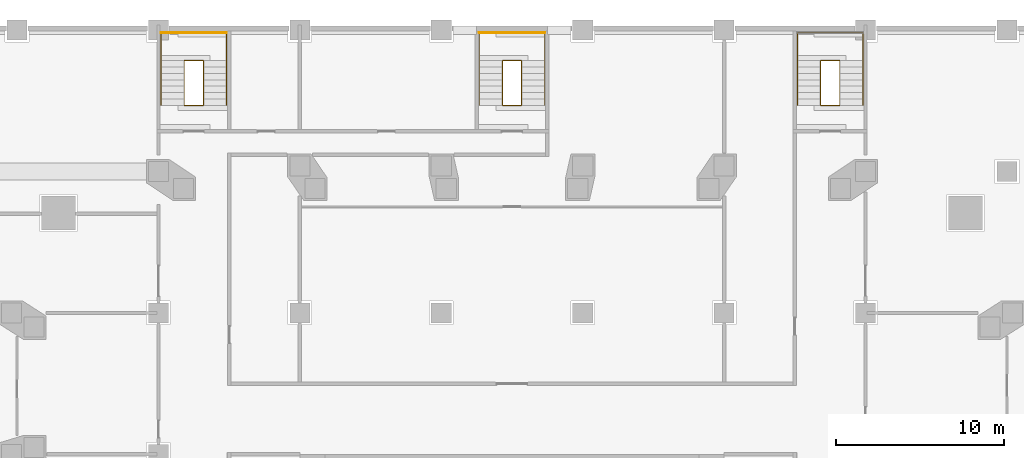
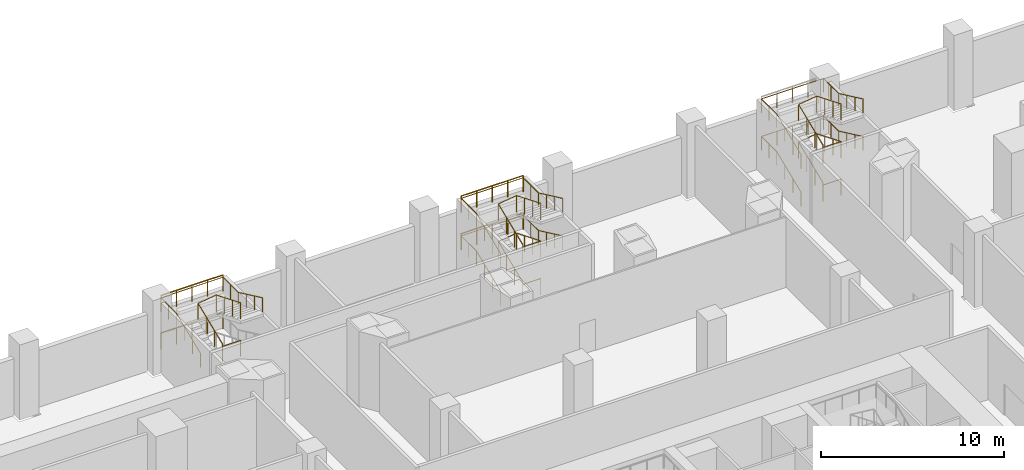
# One storey, part 15 of 16: 14 railings.
"""IFC4 building model written with IfcOpenShell, lengths in metres."""

from ifc_helpers import new_model, si_unit, direction, frame, origin, origin_2d, place, context, subcontext, project, spatial, circle, extrude, material, type_object, element, save


model = new_model("IFC4")

# Units and contexts
model_context = context("Model", 3, precision=1e-05, world=origin(), true_north=direction((0.0, 1.0)))
body_context = subcontext(model_context, "Body", "Model", "MODEL_VIEW")
ifc_project = project(units=[si_unit("LENGTHUNIT", "METRE"), si_unit("AREAUNIT", "SQUARE_METRE"), si_unit("VOLUMEUNIT", "CUBIC_METRE"), si_unit("PLANEANGLEUNIT", "RADIAN"), si_unit("MASSUNIT", "GRAM", prefix="KILO")], contexts=[model_context])

# Site, building, storey
site_placement = place(None, origin())
site = spatial("IfcSite", under=ifc_project, at=site_placement, CompositionType="ELEMENT")
building_placement = place(site_placement, origin())
building = spatial("IfcBuilding", under=site, at=building_placement, Name="Marenta Gate Hotel Tower", CompositionType="ELEMENT")
storey_placement = place(building_placement, frame((0.0, 0.0, 21.0)))
storey = spatial("IfcBuildingStorey", under=building, at=storey_placement, Name="L03", CompositionType="ELEMENT", Elevation=21.0)

# Railings
ifc_material_1 = material(Name="Stainless steel", Category="steel")
railing_type_1 = type_object("IfcRailingType", Name="Core stair handrail 950", PredefinedType="HANDRAIL", material=ifc_material_1)
railing_1_placement = place(storey_placement, frame((-20.85009765625, 37.530029296875, 2.65625)))
element("IfcRailing", 1, at=railing_1_placement, inside=storey, type_object=railing_type_1, Name="HR-950 L03-KR-PX3-5", PredefinedType="HANDRAIL", context=body_context, shape_type="SweptSolid", body=[
    extrude(circle(Radius=0.02392578125, at=origin_2d()), frame((0.0, 0.0, 0.92578125), z_axis=(0.0, 0.924862585091, 0.38030145766), x_axis=(-1.0, 0.0, 0.0)), (0.0, 0.0, 1.0), 2.8759765625),
    extrude(circle(Radius=0.02392578125, at=origin_2d()), frame((0.0, 2.659912109375, 2.01953125), z_axis=(0.0, 1.0, 0.0), x_axis=(-1.0, 0.0, 0.0)), (0.0, 0.0, 1.0), 1.66015625),
    extrude(circle(Radius=0.02392578125, at=origin_2d()), frame((0.0, 4.320068359375, 2.01953125), z_axis=(1.0, 0.0, 0.0), x_axis=(0.0, 1.0, 0.0)), (0.0, 0.0, 1.0), 3.900146484375),
    extrude(circle(Radius=0.02392578125, at=origin_2d()), frame((3.900146484375, 4.320068359375, 2.01953125), z_axis=(0.0, -1.0, 0.0), x_axis=(1.0, 0.0, 0.0)), (0.0, 0.0, 1.0), 1.66015625),
    extrude(circle(Radius=0.02392578125, at=origin_2d()), frame((3.900146484375, 2.659912109375, 2.01953125), z_axis=(0.0, -0.905044486808, 0.425316913488), x_axis=(1.0, 0.0, 0.0)), (0.0, 0.0, 1.0), 2.93896484375),
    extrude(circle(Radius=0.02099609375, at=origin_2d()), origin(), (0.0, 0.0, 1.0), 0.90185546875),
    extrude(circle(Radius=0.02099609375, at=origin_2d()), frame((0.0, 0.88671875, 0.364501953125)), (0.0, 0.0, 1.0), 0.90185546875),
    extrude(circle(Radius=0.02099609375, at=origin_2d()), frame((0.0, 1.773193359375, 0.729248046875)), (0.0, 0.0, 1.0), 0.90185546875),
    extrude(circle(Radius=0.02099609375, at=origin_2d()), frame((0.0, 2.659912109375, 1.09375)), (0.0, 0.0, 1.0), 0.90185546875),
    extrude(circle(Radius=0.02099609375, at=origin_2d()), frame((0.0, 3.489990234375, 1.09375)), (0.0, 0.0, 1.0), 0.90185546875),
    extrude(circle(Radius=0.02099609375, at=origin_2d()), frame((0.0, 4.320068359375, 1.09375)), (0.0, 0.0, 1.0), 0.90185546875),
    extrude(circle(Radius=0.02099609375, at=origin_2d()), frame((0.97509765625, 4.320068359375, 1.09375)), (0.0, 0.0, 1.0), 0.90185546875),
    extrude(circle(Radius=0.02099609375, at=origin_2d()), frame((1.9501953125, 4.320068359375, 1.09375)), (0.0, 0.0, 1.0), 0.90185546875),
    extrude(circle(Radius=0.02099609375, at=origin_2d()), frame((2.925048828125, 4.320068359375, 1.09375)), (0.0, 0.0, 1.0), 0.90185546875),
    extrude(circle(Radius=0.02099609375, at=origin_2d()), frame((3.900146484375, 4.320068359375, 1.09375)), (0.0, 0.0, 1.0), 0.90185546875),
    extrude(circle(Radius=0.02099609375, at=origin_2d()), frame((3.900146484375, 3.489990234375, 1.09375)), (0.0, 0.0, 1.0), 0.90185546875),
    extrude(circle(Radius=0.02099609375, at=origin_2d()), frame((3.900146484375, 2.659912109375, 1.09375)), (0.0, 0.0, 1.0), 0.90185546875),
    extrude(circle(Radius=0.02099609375, at=origin_2d()), frame((3.900146484375, 1.773193359375, 1.510498046875)), (0.0, 0.0, 1.0), 0.90185546875),
    extrude(circle(Radius=0.02099609375, at=origin_2d()), frame((3.900146484375, 0.88671875, 1.927001953125)), (0.0, 0.0, 1.0), 0.90185546875),
    extrude(circle(Radius=0.02099609375, at=origin_2d()), frame((3.900146484375, 0.0, 2.34375)), (0.0, 0.0, 1.0), 0.90185546875),
])
railing_2_placement = place(storey_placement, frame((16.949951171875, 37.530029296875, 0.15625)))
element("IfcRailing", 2, at=railing_2_placement, inside=storey, type_object=railing_type_1, Name="HR-950 L03-KR-PX4-2", PredefinedType="HANDRAIL", context=body_context, shape_type="SweptSolid", body=[
    extrude(circle(Radius=0.02392578125, at=origin_2d()), frame((0.0, 0.0, 0.92578125), z_axis=(0.0, 0.924862585091, 0.38030145766), x_axis=(-1.0, 0.0, 0.0)), (0.0, 0.0, 1.0), 2.8759765625),
    extrude(circle(Radius=0.02392578125, at=origin_2d()), frame((0.0, 2.659912109375, 2.01953125), z_axis=(0.0, 1.0, 0.0), x_axis=(-1.0, 0.0, 0.0)), (0.0, 0.0, 1.0), 1.66015625),
    extrude(circle(Radius=0.02392578125, at=origin_2d()), frame((0.0, 4.320068359375, 2.01953125), z_axis=(1.0, 0.0, 0.0), x_axis=(0.0, 1.0, 0.0)), (0.0, 0.0, 1.0), 3.900146484375),
    extrude(circle(Radius=0.02392578125, at=origin_2d()), frame((3.900146484375, 4.320068359375, 2.01953125), z_axis=(0.0, -1.0, 0.0), x_axis=(1.0, 0.0, 0.0)), (0.0, 0.0, 1.0), 1.66015625),
    extrude(circle(Radius=0.02392578125, at=origin_2d()), frame((3.900146484375, 2.659912109375, 2.01953125), z_axis=(0.0, -0.905044486808, 0.425316913488), x_axis=(1.0, 0.0, 0.0)), (0.0, 0.0, 1.0), 2.93896484375),
    extrude(circle(Radius=0.02099609375, at=origin_2d()), origin(), (0.0, 0.0, 1.0), 0.90185546875),
    extrude(circle(Radius=0.02099609375, at=origin_2d()), frame((0.0, 0.88671875, 0.364501953125)), (0.0, 0.0, 1.0), 0.90185546875),
    extrude(circle(Radius=0.02099609375, at=origin_2d()), frame((0.0, 1.773193359375, 0.729248046875)), (0.0, 0.0, 1.0), 0.90185546875),
    extrude(circle(Radius=0.02099609375, at=origin_2d()), frame((0.0, 2.659912109375, 1.09375)), (0.0, 0.0, 1.0), 0.90185546875),
    extrude(circle(Radius=0.02099609375, at=origin_2d()), frame((0.0, 3.489990234375, 1.09375)), (0.0, 0.0, 1.0), 0.90185546875),
    extrude(circle(Radius=0.02099609375, at=origin_2d()), frame((0.0, 4.320068359375, 1.09375)), (0.0, 0.0, 1.0), 0.90185546875),
    extrude(circle(Radius=0.02099609375, at=origin_2d()), frame((0.97509765625, 4.320068359375, 1.09375)), (0.0, 0.0, 1.0), 0.90185546875),
    extrude(circle(Radius=0.02099609375, at=origin_2d()), frame((1.9501953125, 4.320068359375, 1.09375)), (0.0, 0.0, 1.0), 0.90185546875),
    extrude(circle(Radius=0.02099609375, at=origin_2d()), frame((2.925048828125, 4.320068359375, 1.09375)), (0.0, 0.0, 1.0), 0.90185546875),
    extrude(circle(Radius=0.02099609375, at=origin_2d()), frame((3.900146484375, 4.320068359375, 1.09375)), (0.0, 0.0, 1.0), 0.90185546875),
    extrude(circle(Radius=0.02099609375, at=origin_2d()), frame((3.900146484375, 3.489990234375, 1.09375)), (0.0, 0.0, 1.0), 0.90185546875),
    extrude(circle(Radius=0.02099609375, at=origin_2d()), frame((3.900146484375, 2.659912109375, 1.09375)), (0.0, 0.0, 1.0), 0.90185546875),
    extrude(circle(Radius=0.02099609375, at=origin_2d()), frame((3.900146484375, 1.773193359375, 1.510498046875)), (0.0, 0.0, 1.0), 0.90185546875),
    extrude(circle(Radius=0.02099609375, at=origin_2d()), frame((3.900146484375, 0.88671875, 1.927001953125)), (0.0, 0.0, 1.0), 0.90185546875),
    extrude(circle(Radius=0.02099609375, at=origin_2d()), frame((3.900146484375, 0.0, 2.34375)), (0.0, 0.0, 1.0), 0.90185546875),
])
railing_3_placement = place(storey_placement, frame((16.949951171875, 37.530029296875, 2.65625)))
element("IfcRailing", 3, at=railing_3_placement, inside=storey, type_object=railing_type_1, Name="HR-950 L03-KR-PX4-5", PredefinedType="HANDRAIL", context=body_context, shape_type="SweptSolid", body=[
    extrude(circle(Radius=0.02392578125, at=origin_2d()), frame((0.0, 0.0, 0.92578125), z_axis=(0.0, 0.924862585091, 0.38030145766), x_axis=(-1.0, 0.0, 0.0)), (0.0, 0.0, 1.0), 2.8759765625),
    extrude(circle(Radius=0.02392578125, at=origin_2d()), frame((0.0, 2.659912109375, 2.01953125), z_axis=(0.0, 1.0, 0.0), x_axis=(-1.0, 0.0, 0.0)), (0.0, 0.0, 1.0), 1.66015625),
    extrude(circle(Radius=0.02392578125, at=origin_2d()), frame((0.0, 4.320068359375, 2.01953125), z_axis=(1.0, 0.0, 0.0), x_axis=(0.0, 1.0, 0.0)), (0.0, 0.0, 1.0), 3.900146484375),
    extrude(circle(Radius=0.02392578125, at=origin_2d()), frame((3.900146484375, 4.320068359375, 2.01953125), z_axis=(0.0, -1.0, 0.0), x_axis=(1.0, 0.0, 0.0)), (0.0, 0.0, 1.0), 1.66015625),
    extrude(circle(Radius=0.02392578125, at=origin_2d()), frame((3.900146484375, 2.659912109375, 2.01953125), z_axis=(0.0, -0.905044486808, 0.425316913488), x_axis=(1.0, 0.0, 0.0)), (0.0, 0.0, 1.0), 2.93896484375),
    extrude(circle(Radius=0.02099609375, at=origin_2d()), origin(), (0.0, 0.0, 1.0), 0.90185546875),
    extrude(circle(Radius=0.02099609375, at=origin_2d()), frame((0.0, 0.88671875, 0.364501953125)), (0.0, 0.0, 1.0), 0.90185546875),
    extrude(circle(Radius=0.02099609375, at=origin_2d()), frame((0.0, 1.773193359375, 0.729248046875)), (0.0, 0.0, 1.0), 0.90185546875),
    extrude(circle(Radius=0.02099609375, at=origin_2d()), frame((0.0, 2.659912109375, 1.09375)), (0.0, 0.0, 1.0), 0.90185546875),
    extrude(circle(Radius=0.02099609375, at=origin_2d()), frame((0.0, 3.489990234375, 1.09375)), (0.0, 0.0, 1.0), 0.90185546875),
    extrude(circle(Radius=0.02099609375, at=origin_2d()), frame((0.0, 4.320068359375, 1.09375)), (0.0, 0.0, 1.0), 0.90185546875),
    extrude(circle(Radius=0.02099609375, at=origin_2d()), frame((0.97509765625, 4.320068359375, 1.09375)), (0.0, 0.0, 1.0), 0.90185546875),
    extrude(circle(Radius=0.02099609375, at=origin_2d()), frame((1.9501953125, 4.320068359375, 1.09375)), (0.0, 0.0, 1.0), 0.90185546875),
    extrude(circle(Radius=0.02099609375, at=origin_2d()), frame((2.925048828125, 4.320068359375, 1.09375)), (0.0, 0.0, 1.0), 0.90185546875),
    extrude(circle(Radius=0.02099609375, at=origin_2d()), frame((3.900146484375, 4.320068359375, 1.09375)), (0.0, 0.0, 1.0), 0.90185546875),
    extrude(circle(Radius=0.02099609375, at=origin_2d()), frame((3.900146484375, 3.489990234375, 1.09375)), (0.0, 0.0, 1.0), 0.90185546875),
    extrude(circle(Radius=0.02099609375, at=origin_2d()), frame((3.900146484375, 2.659912109375, 1.09375)), (0.0, 0.0, 1.0), 0.90185546875),
    extrude(circle(Radius=0.02099609375, at=origin_2d()), frame((3.900146484375, 1.773193359375, 1.510498046875)), (0.0, 0.0, 1.0), 0.90185546875),
    extrude(circle(Radius=0.02099609375, at=origin_2d()), frame((3.900146484375, 0.88671875, 1.927001953125)), (0.0, 0.0, 1.0), 0.90185546875),
    extrude(circle(Radius=0.02099609375, at=origin_2d()), frame((3.900146484375, 0.0, 2.34375)), (0.0, 0.0, 1.0), 0.90185546875),
])
railing_4_placement = place(storey_placement, frame((-1.949951171875, 37.530029296875, 0.15625)))
element("IfcRailing", 4, at=railing_4_placement, inside=storey, type_object=railing_type_1, Name="HR-950 L03-KR-PX8-2", PredefinedType="HANDRAIL", context=body_context, shape_type="SweptSolid", body=[
    extrude(circle(Radius=0.02392578125, at=origin_2d()), frame((0.0, 0.0, 0.92578125), z_axis=(0.0, 0.924862585091, 0.38030145766), x_axis=(-1.0, 0.0, 0.0)), (0.0, 0.0, 1.0), 2.8759765625),
    extrude(circle(Radius=0.02392578125, at=origin_2d()), frame((0.0, 2.659912109375, 2.01953125), z_axis=(0.0, 1.0, 0.0), x_axis=(-1.0, 0.0, 0.0)), (0.0, 0.0, 1.0), 1.66015625),
    extrude(circle(Radius=0.02392578125, at=origin_2d()), frame((0.0, 4.320068359375, 2.01953125), z_axis=(1.0, 0.0, 0.0), x_axis=(0.0, 1.0, 0.0)), (0.0, 0.0, 1.0), 3.89990234375),
    extrude(circle(Radius=0.02392578125, at=origin_2d()), frame((3.89990234375, 4.320068359375, 2.01953125), z_axis=(0.0, -1.0, 0.0), x_axis=(1.0, 0.0, 0.0)), (0.0, 0.0, 1.0), 1.66015625),
    extrude(circle(Radius=0.02392578125, at=origin_2d()), frame((3.89990234375, 2.659912109375, 2.01953125), z_axis=(0.0, -0.905044486808, 0.425316913488), x_axis=(1.0, 0.0, 0.0)), (0.0, 0.0, 1.0), 2.93896484375),
    extrude(circle(Radius=0.02099609375, at=origin_2d()), origin(), (0.0, 0.0, 1.0), 0.90185546875),
    extrude(circle(Radius=0.02099609375, at=origin_2d()), frame((0.0, 0.88671875, 0.364501953125)), (0.0, 0.0, 1.0), 0.90185546875),
    extrude(circle(Radius=0.02099609375, at=origin_2d()), frame((0.0, 1.773193359375, 0.729248046875)), (0.0, 0.0, 1.0), 0.90185546875),
    extrude(circle(Radius=0.02099609375, at=origin_2d()), frame((0.0, 2.659912109375, 1.09375)), (0.0, 0.0, 1.0), 0.90185546875),
    extrude(circle(Radius=0.02099609375, at=origin_2d()), frame((0.0, 3.489990234375, 1.09375)), (0.0, 0.0, 1.0), 0.90185546875),
    extrude(circle(Radius=0.02099609375, at=origin_2d()), frame((0.0, 4.320068359375, 1.09375)), (0.0, 0.0, 1.0), 0.90185546875),
    extrude(circle(Radius=0.02099609375, at=origin_2d()), frame((0.97509765625, 4.320068359375, 1.09375)), (0.0, 0.0, 1.0), 0.90185546875),
    extrude(circle(Radius=0.02099609375, at=origin_2d()), frame((1.949951171875, 4.320068359375, 1.09375)), (0.0, 0.0, 1.0), 0.90185546875),
    extrude(circle(Radius=0.02099609375, at=origin_2d()), frame((2.9248046875, 4.320068359375, 1.09375)), (0.0, 0.0, 1.0), 0.90185546875),
    extrude(circle(Radius=0.02099609375, at=origin_2d()), frame((3.89990234375, 4.320068359375, 1.09375)), (0.0, 0.0, 1.0), 0.90185546875),
    extrude(circle(Radius=0.02099609375, at=origin_2d()), frame((3.89990234375, 3.489990234375, 1.09375)), (0.0, 0.0, 1.0), 0.90185546875),
    extrude(circle(Radius=0.02099609375, at=origin_2d()), frame((3.89990234375, 2.659912109375, 1.09375)), (0.0, 0.0, 1.0), 0.90185546875),
    extrude(circle(Radius=0.02099609375, at=origin_2d()), frame((3.89990234375, 1.773193359375, 1.510498046875)), (0.0, 0.0, 1.0), 0.90185546875),
    extrude(circle(Radius=0.02099609375, at=origin_2d()), frame((3.89990234375, 0.88671875, 1.927001953125)), (0.0, 0.0, 1.0), 0.90185546875),
    extrude(circle(Radius=0.02099609375, at=origin_2d()), frame((3.89990234375, 0.0, 2.34375)), (0.0, 0.0, 1.0), 0.90185546875),
])
railing_5_placement = place(storey_placement, frame((-1.949951171875, 37.530029296875, 2.65625)))
element("IfcRailing", 5, at=railing_5_placement, inside=storey, type_object=railing_type_1, Name="HR-950 L03-KR-PX8-5", PredefinedType="HANDRAIL", context=body_context, shape_type="SweptSolid", body=[
    extrude(circle(Radius=0.02392578125, at=origin_2d()), frame((0.0, 0.0, 0.92578125), z_axis=(0.0, 0.924862585091, 0.38030145766), x_axis=(-1.0, 0.0, 0.0)), (0.0, 0.0, 1.0), 2.8759765625),
    extrude(circle(Radius=0.02392578125, at=origin_2d()), frame((0.0, 2.659912109375, 2.01953125), z_axis=(0.0, 1.0, 0.0), x_axis=(-1.0, 0.0, 0.0)), (0.0, 0.0, 1.0), 1.66015625),
    extrude(circle(Radius=0.02392578125, at=origin_2d()), frame((0.0, 4.320068359375, 2.01953125), z_axis=(1.0, 0.0, 0.0), x_axis=(0.0, 1.0, 0.0)), (0.0, 0.0, 1.0), 3.89990234375),
    extrude(circle(Radius=0.02392578125, at=origin_2d()), frame((3.89990234375, 4.320068359375, 2.01953125), z_axis=(0.0, -1.0, 0.0), x_axis=(1.0, 0.0, 0.0)), (0.0, 0.0, 1.0), 1.66015625),
    extrude(circle(Radius=0.02392578125, at=origin_2d()), frame((3.89990234375, 2.659912109375, 2.01953125), z_axis=(0.0, -0.905044486808, 0.425316913488), x_axis=(1.0, 0.0, 0.0)), (0.0, 0.0, 1.0), 2.93896484375),
    extrude(circle(Radius=0.02099609375, at=origin_2d()), origin(), (0.0, 0.0, 1.0), 0.90185546875),
    extrude(circle(Radius=0.02099609375, at=origin_2d()), frame((0.0, 0.88671875, 0.364501953125)), (0.0, 0.0, 1.0), 0.90185546875),
    extrude(circle(Radius=0.02099609375, at=origin_2d()), frame((0.0, 1.773193359375, 0.729248046875)), (0.0, 0.0, 1.0), 0.90185546875),
    extrude(circle(Radius=0.02099609375, at=origin_2d()), frame((0.0, 2.659912109375, 1.09375)), (0.0, 0.0, 1.0), 0.90185546875),
    extrude(circle(Radius=0.02099609375, at=origin_2d()), frame((0.0, 3.489990234375, 1.09375)), (0.0, 0.0, 1.0), 0.90185546875),
    extrude(circle(Radius=0.02099609375, at=origin_2d()), frame((0.0, 4.320068359375, 1.09375)), (0.0, 0.0, 1.0), 0.90185546875),
    extrude(circle(Radius=0.02099609375, at=origin_2d()), frame((0.97509765625, 4.320068359375, 1.09375)), (0.0, 0.0, 1.0), 0.90185546875),
    extrude(circle(Radius=0.02099609375, at=origin_2d()), frame((1.949951171875, 4.320068359375, 1.09375)), (0.0, 0.0, 1.0), 0.90185546875),
    extrude(circle(Radius=0.02099609375, at=origin_2d()), frame((2.9248046875, 4.320068359375, 1.09375)), (0.0, 0.0, 1.0), 0.90185546875),
    extrude(circle(Radius=0.02099609375, at=origin_2d()), frame((3.89990234375, 4.320068359375, 1.09375)), (0.0, 0.0, 1.0), 0.90185546875),
    extrude(circle(Radius=0.02099609375, at=origin_2d()), frame((3.89990234375, 3.489990234375, 1.09375)), (0.0, 0.0, 1.0), 0.90185546875),
    extrude(circle(Radius=0.02099609375, at=origin_2d()), frame((3.89990234375, 2.659912109375, 1.09375)), (0.0, 0.0, 1.0), 0.90185546875),
    extrude(circle(Radius=0.02099609375, at=origin_2d()), frame((3.89990234375, 1.773193359375, 1.510498046875)), (0.0, 0.0, 1.0), 0.90185546875),
    extrude(circle(Radius=0.02099609375, at=origin_2d()), frame((3.89990234375, 0.88671875, 1.927001953125)), (0.0, 0.0, 1.0), 0.90185546875),
    extrude(circle(Radius=0.02099609375, at=origin_2d()), frame((3.89990234375, 0.0, 2.34375)), (0.0, 0.0, 1.0), 0.90185546875),
])
ifc_material_2 = material(Name="Stainless steel", Category="steel")
railing_type_2 = type_object("IfcRailingType", Name="Core stair well guard 1100", PredefinedType="GUARDRAIL", material=ifc_material_2)
for number, where, name in (
    (6, (-20.85009765625, 41.85009765625, 1.25), "GR-1100 L03-KR-PX3-1"),
    (7, (-20.85009765625, 41.85009765625, 3.75), "GR-1100 L03-KR-PX3-4"),
):
    element("IfcRailing", number, at=place(storey_placement, frame(where)), inside=storey, type_object=railing_type_2, Name=name, PredefinedType="GUARDRAIL", context=body_context, shape_type="SweptSolid", body=[
        extrude(circle(Radius=0.02392578125, at=origin_2d()), frame((0.0, 0.0, 1.076171875), z_axis=(1.0, 0.0, 0.0), x_axis=(0.0, 1.0, 0.0)), (0.0, 0.0, 1.0), 3.900146484375),
        extrude(circle(Radius=0.02099609375, at=origin_2d()), origin(), (0.0, 0.0, 1.0), 1.052001953125),
        extrude(circle(Radius=0.02099609375, at=origin_2d()), frame((0.97509765625, 0.0, 0.0)), (0.0, 0.0, 1.0), 1.052001953125),
        extrude(circle(Radius=0.02099609375, at=origin_2d()), frame((1.9501953125, 0.0, 0.0)), (0.0, 0.0, 1.0), 1.052001953125),
        extrude(circle(Radius=0.02099609375, at=origin_2d()), frame((2.925048828125, 0.0, 0.0)), (0.0, 0.0, 1.0), 1.052001953125),
        extrude(circle(Radius=0.02099609375, at=origin_2d()), frame((3.900146484375, 0.0, 0.0)), (0.0, 0.0, 1.0), 1.052001953125),
    ])
railing_6_placement = place(storey_placement, frame((-18.330078125, 37.530029296875, 2.5)))
element("IfcRailing", 8, at=railing_6_placement, inside=storey, type_object=railing_type_2, Name="GR-1100 L03-KR-PX3-6", PredefinedType="GUARDRAIL", context=body_context, shape_type="SweptSolid", body=[
    extrude(circle(Radius=0.02392578125, at=origin_2d()), frame((0.0, 0.0, 1.076171875), z_axis=(-1.0, 0.0, 0.0), x_axis=(0.0, -1.0, 0.0)), (0.0, 0.0, 1.0), 1.139892578125),
    extrude(circle(Radius=0.02392578125, at=origin_2d()), frame((-1.139892578125, 0.0, 1.076171875), z_axis=(0.0, 0.0, 1.0), x_axis=(1.0, 0.0, 0.0)), (0.0, 0.0, 1.0), 0.15625),
    extrude(circle(Radius=0.02392578125, at=origin_2d()), frame((-1.139892578125, 0.0, 1.232421875), z_axis=(0.0, 0.924862585091, 0.38030145766), x_axis=(-1.0, 0.0, 0.0)), (0.0, 0.0, 1.0), 2.8759765625),
    extrude(circle(Radius=0.02392578125, at=origin_2d()), frame((-1.139892578125, 2.659912109375, 2.326171875), z_axis=(0.990735666123, 0.0, 0.135804417717), x_axis=(0.0, 1.0, 0.0)), (0.0, 0.0, 1.0), 1.150634765625),
    extrude(circle(Radius=0.02392578125, at=origin_2d()), frame((0.0, 2.659912109375, 2.482421875), z_axis=(0.0, -0.924862585091, 0.38030145766), x_axis=(1.0, 0.0, 0.0)), (0.0, 0.0, 1.0), 2.8759765625),
    extrude(circle(Radius=0.02099609375, at=origin_2d()), origin(), (0.0, 0.0, 1.0), 1.052001953125),
    extrude(circle(Radius=0.02099609375, at=origin_2d()), frame((-1.139892578125, 0.0, 0.0)), (0.0, 0.0, 1.0), 1.052001953125),
    extrude(circle(Radius=0.02099609375, at=origin_2d()), frame((-1.139892578125, 0.0, 0.15625)), (0.0, 0.0, 1.0), 1.052001953125),
    extrude(circle(Radius=0.02099609375, at=origin_2d()), frame((-1.139892578125, 0.88671875, 0.520751953125)), (0.0, 0.0, 1.0), 1.052001953125),
    extrude(circle(Radius=0.02099609375, at=origin_2d()), frame((-1.139892578125, 1.773193359375, 0.885498046875)), (0.0, 0.0, 1.0), 1.052001953125),
    extrude(circle(Radius=0.02099609375, at=origin_2d()), frame((-1.139892578125, 2.659912109375, 1.25)), (0.0, 0.0, 1.0), 1.052001953125),
    extrude(circle(Radius=0.02099609375, at=origin_2d()), frame((0.0, 2.659912109375, 1.40625)), (0.0, 0.0, 1.0), 1.052001953125),
    extrude(circle(Radius=0.02099609375, at=origin_2d()), frame((0.0, 1.773193359375, 1.770751953125)), (0.0, 0.0, 1.0), 1.052001953125),
    extrude(circle(Radius=0.02099609375, at=origin_2d()), frame((0.0, 0.88671875, 2.135498046875)), (0.0, 0.0, 1.0), 1.052001953125),
    extrude(circle(Radius=0.02099609375, at=origin_2d()), frame((0.0, 0.0, 2.5)), (0.0, 0.0, 1.0), 1.052001953125),
])
railing_7_placement = place(storey_placement, frame((19.469970703125, 37.530029296875, 0.0)))
element("IfcRailing", 9, at=railing_7_placement, inside=storey, type_object=railing_type_2, Name="GR-1100 L03-KR-PX4-3", PredefinedType="GUARDRAIL", context=body_context, shape_type="SweptSolid", body=[
    extrude(circle(Radius=0.02392578125, at=origin_2d()), frame((0.0, 0.0, 1.076171875), z_axis=(-1.0, 0.0, 0.0), x_axis=(0.0, -1.0, 0.0)), (0.0, 0.0, 1.0), 1.139892578125),
    extrude(circle(Radius=0.02392578125, at=origin_2d()), frame((-1.139892578125, 0.0, 1.076171875), z_axis=(0.0, 0.0, 1.0), x_axis=(1.0, 0.0, 0.0)), (0.0, 0.0, 1.0), 0.15625),
    extrude(circle(Radius=0.02392578125, at=origin_2d()), frame((-1.139892578125, 0.0, 1.232421875), z_axis=(0.0, 0.924862585091, 0.38030145766), x_axis=(-1.0, 0.0, 0.0)), (0.0, 0.0, 1.0), 2.8759765625),
    extrude(circle(Radius=0.02392578125, at=origin_2d()), frame((-1.139892578125, 2.659912109375, 2.326171875), z_axis=(0.990735666123, 0.0, 0.135804417717), x_axis=(0.0, 1.0, 0.0)), (0.0, 0.0, 1.0), 1.150634765625),
    extrude(circle(Radius=0.02392578125, at=origin_2d()), frame((0.0, 2.659912109375, 2.482421875), z_axis=(0.0, -0.924862585091, 0.38030145766), x_axis=(1.0, 0.0, 0.0)), (0.0, 0.0, 1.0), 2.8759765625),
    extrude(circle(Radius=0.02099609375, at=origin_2d()), origin(), (0.0, 0.0, 1.0), 1.052001953125),
    extrude(circle(Radius=0.02099609375, at=origin_2d()), frame((-1.139892578125, 0.0, 0.0)), (0.0, 0.0, 1.0), 1.052001953125),
    extrude(circle(Radius=0.02099609375, at=origin_2d()), frame((-1.139892578125, 0.0, 0.15625)), (0.0, 0.0, 1.0), 1.052001953125),
    extrude(circle(Radius=0.02099609375, at=origin_2d()), frame((-1.139892578125, 0.88671875, 0.520751953125)), (0.0, 0.0, 1.0), 1.052001953125),
    extrude(circle(Radius=0.02099609375, at=origin_2d()), frame((-1.139892578125, 1.773193359375, 0.885498046875)), (0.0, 0.0, 1.0), 1.052001953125),
    extrude(circle(Radius=0.02099609375, at=origin_2d()), frame((-1.139892578125, 2.659912109375, 1.25)), (0.0, 0.0, 1.0), 1.052001953125),
    extrude(circle(Radius=0.02099609375, at=origin_2d()), frame((0.0, 2.659912109375, 1.40625)), (0.0, 0.0, 1.0), 1.052001953125),
    extrude(circle(Radius=0.02099609375, at=origin_2d()), frame((0.0, 1.773193359375, 1.770751953125)), (0.0, 0.0, 1.0), 1.052001953125),
    extrude(circle(Radius=0.02099609375, at=origin_2d()), frame((0.0, 0.88671875, 2.135498046875)), (0.0, 0.0, 1.0), 1.052001953125),
    extrude(circle(Radius=0.02099609375, at=origin_2d()), frame((0.0, 0.0, 2.5)), (0.0, 0.0, 1.0), 1.052001953125),
])
railing_8_placement = place(storey_placement, frame((19.469970703125, 37.530029296875, 2.5)))
element("IfcRailing", 10, at=railing_8_placement, inside=storey, type_object=railing_type_2, Name="GR-1100 L03-KR-PX4-6", PredefinedType="GUARDRAIL", context=body_context, shape_type="SweptSolid", body=[
    extrude(circle(Radius=0.02392578125, at=origin_2d()), frame((0.0, 0.0, 1.076171875), z_axis=(-1.0, 0.0, 0.0), x_axis=(0.0, -1.0, 0.0)), (0.0, 0.0, 1.0), 1.139892578125),
    extrude(circle(Radius=0.02392578125, at=origin_2d()), frame((-1.139892578125, 0.0, 1.076171875), z_axis=(0.0, 0.0, 1.0), x_axis=(1.0, 0.0, 0.0)), (0.0, 0.0, 1.0), 0.15625),
    extrude(circle(Radius=0.02392578125, at=origin_2d()), frame((-1.139892578125, 0.0, 1.232421875), z_axis=(0.0, 0.924862585091, 0.38030145766), x_axis=(-1.0, 0.0, 0.0)), (0.0, 0.0, 1.0), 2.8759765625),
    extrude(circle(Radius=0.02392578125, at=origin_2d()), frame((-1.139892578125, 2.659912109375, 2.326171875), z_axis=(0.990735666123, 0.0, 0.135804417717), x_axis=(0.0, 1.0, 0.0)), (0.0, 0.0, 1.0), 1.150634765625),
    extrude(circle(Radius=0.02392578125, at=origin_2d()), frame((0.0, 2.659912109375, 2.482421875), z_axis=(0.0, -0.924862585091, 0.38030145766), x_axis=(1.0, 0.0, 0.0)), (0.0, 0.0, 1.0), 2.8759765625),
    extrude(circle(Radius=0.02099609375, at=origin_2d()), origin(), (0.0, 0.0, 1.0), 1.052001953125),
    extrude(circle(Radius=0.02099609375, at=origin_2d()), frame((-1.139892578125, 0.0, 0.0)), (0.0, 0.0, 1.0), 1.052001953125),
    extrude(circle(Radius=0.02099609375, at=origin_2d()), frame((-1.139892578125, 0.0, 0.15625)), (0.0, 0.0, 1.0), 1.052001953125),
    extrude(circle(Radius=0.02099609375, at=origin_2d()), frame((-1.139892578125, 0.88671875, 0.520751953125)), (0.0, 0.0, 1.0), 1.052001953125),
    extrude(circle(Radius=0.02099609375, at=origin_2d()), frame((-1.139892578125, 1.773193359375, 0.885498046875)), (0.0, 0.0, 1.0), 1.052001953125),
    extrude(circle(Radius=0.02099609375, at=origin_2d()), frame((-1.139892578125, 2.659912109375, 1.25)), (0.0, 0.0, 1.0), 1.052001953125),
    extrude(circle(Radius=0.02099609375, at=origin_2d()), frame((0.0, 2.659912109375, 1.40625)), (0.0, 0.0, 1.0), 1.052001953125),
    extrude(circle(Radius=0.02099609375, at=origin_2d()), frame((0.0, 1.773193359375, 1.770751953125)), (0.0, 0.0, 1.0), 1.052001953125),
    extrude(circle(Radius=0.02099609375, at=origin_2d()), frame((0.0, 0.88671875, 2.135498046875)), (0.0, 0.0, 1.0), 1.052001953125),
    extrude(circle(Radius=0.02099609375, at=origin_2d()), frame((0.0, 0.0, 2.5)), (0.0, 0.0, 1.0), 1.052001953125),
])
railing_9_placement = place(storey_placement, frame((-1.949951171875, 41.85009765625, 1.25)))
element("IfcRailing", 11, at=railing_9_placement, inside=storey, type_object=railing_type_2, Name="GR-1100 L03-KR-PX8-1", PredefinedType="GUARDRAIL", context=body_context, shape_type="SweptSolid", body=[
    extrude(circle(Radius=0.02392578125, at=origin_2d()), frame((0.0, 0.0, 1.076171875), z_axis=(1.0, 0.0, 0.0), x_axis=(0.0, 1.0, 0.0)), (0.0, 0.0, 1.0), 3.89990234375),
    extrude(circle(Radius=0.02099609375, at=origin_2d()), origin(), (0.0, 0.0, 1.0), 1.052001953125),
    extrude(circle(Radius=0.02099609375, at=origin_2d()), frame((0.97509765625, 0.0, 0.0)), (0.0, 0.0, 1.0), 1.052001953125),
    extrude(circle(Radius=0.02099609375, at=origin_2d()), frame((1.949951171875, 0.0, 0.0)), (0.0, 0.0, 1.0), 1.052001953125),
    extrude(circle(Radius=0.02099609375, at=origin_2d()), frame((2.9248046875, 0.0, 0.0)), (0.0, 0.0, 1.0), 1.052001953125),
    extrude(circle(Radius=0.02099609375, at=origin_2d()), frame((3.89990234375, 0.0, 0.0)), (0.0, 0.0, 1.0), 1.052001953125),
])
railing_10_placement = place(storey_placement, frame((0.570068359375, 37.530029296875, 0.0)))
element("IfcRailing", 12, at=railing_10_placement, inside=storey, type_object=railing_type_2, Name="GR-1100 L03-KR-PX8-3", PredefinedType="GUARDRAIL", context=body_context, shape_type="SweptSolid", body=[
    extrude(circle(Radius=0.02392578125, at=origin_2d()), frame((0.0, 0.0, 1.076171875), z_axis=(-1.0, 0.0, 0.0), x_axis=(0.0, -1.0, 0.0)), (0.0, 0.0, 1.0), 1.14013671875),
    extrude(circle(Radius=0.02392578125, at=origin_2d()), frame((-1.14013671875, 0.0, 1.076171875), z_axis=(0.0, 0.0, 1.0), x_axis=(1.0, 0.0, 0.0)), (0.0, 0.0, 1.0), 0.15625),
    extrude(circle(Radius=0.02392578125, at=origin_2d()), frame((-1.14013671875, 0.0, 1.232421875), z_axis=(0.0, 0.924862585091, 0.38030145766), x_axis=(-1.0, 0.0, 0.0)), (0.0, 0.0, 1.0), 2.8759765625),
    extrude(circle(Radius=0.02392578125, at=origin_2d()), frame((-1.14013671875, 2.659912109375, 2.326171875), z_axis=(0.990739578357, 0.0, 0.135775873693), x_axis=(0.0, 1.0, 0.0)), (0.0, 0.0, 1.0), 1.15087890625),
    extrude(circle(Radius=0.02392578125, at=origin_2d()), frame((0.0, 2.659912109375, 2.482421875), z_axis=(0.0, -0.924862585091, 0.38030145766), x_axis=(1.0, 0.0, 0.0)), (0.0, 0.0, 1.0), 2.8759765625),
    extrude(circle(Radius=0.02099609375, at=origin_2d()), origin(), (0.0, 0.0, 1.0), 1.052001953125),
    extrude(circle(Radius=0.02099609375, at=origin_2d()), frame((-1.14013671875, 0.0, 0.0)), (0.0, 0.0, 1.0), 1.052001953125),
    extrude(circle(Radius=0.02099609375, at=origin_2d()), frame((-1.14013671875, 0.0, 0.15625)), (0.0, 0.0, 1.0), 1.052001953125),
    extrude(circle(Radius=0.02099609375, at=origin_2d()), frame((-1.14013671875, 0.88671875, 0.520751953125)), (0.0, 0.0, 1.0), 1.052001953125),
    extrude(circle(Radius=0.02099609375, at=origin_2d()), frame((-1.14013671875, 1.773193359375, 0.885498046875)), (0.0, 0.0, 1.0), 1.052001953125),
    extrude(circle(Radius=0.02099609375, at=origin_2d()), frame((-1.14013671875, 2.659912109375, 1.25)), (0.0, 0.0, 1.0), 1.052001953125),
    extrude(circle(Radius=0.02099609375, at=origin_2d()), frame((0.0, 2.659912109375, 1.40625)), (0.0, 0.0, 1.0), 1.052001953125),
    extrude(circle(Radius=0.02099609375, at=origin_2d()), frame((0.0, 1.773193359375, 1.770751953125)), (0.0, 0.0, 1.0), 1.052001953125),
    extrude(circle(Radius=0.02099609375, at=origin_2d()), frame((0.0, 0.88671875, 2.135498046875)), (0.0, 0.0, 1.0), 1.052001953125),
    extrude(circle(Radius=0.02099609375, at=origin_2d()), frame((0.0, 0.0, 2.5)), (0.0, 0.0, 1.0), 1.052001953125),
])
railing_11_placement = place(storey_placement, frame((-1.949951171875, 41.85009765625, 3.75)))
element("IfcRailing", 13, at=railing_11_placement, inside=storey, type_object=railing_type_2, Name="GR-1100 L03-KR-PX8-4", PredefinedType="GUARDRAIL", context=body_context, shape_type="SweptSolid", body=[
    extrude(circle(Radius=0.02392578125, at=origin_2d()), frame((0.0, 0.0, 1.076171875), z_axis=(1.0, 0.0, 0.0), x_axis=(0.0, 1.0, 0.0)), (0.0, 0.0, 1.0), 3.89990234375),
    extrude(circle(Radius=0.02099609375, at=origin_2d()), origin(), (0.0, 0.0, 1.0), 1.052001953125),
    extrude(circle(Radius=0.02099609375, at=origin_2d()), frame((0.97509765625, 0.0, 0.0)), (0.0, 0.0, 1.0), 1.052001953125),
    extrude(circle(Radius=0.02099609375, at=origin_2d()), frame((1.949951171875, 0.0, 0.0)), (0.0, 0.0, 1.0), 1.052001953125),
    extrude(circle(Radius=0.02099609375, at=origin_2d()), frame((2.9248046875, 0.0, 0.0)), (0.0, 0.0, 1.0), 1.052001953125),
    extrude(circle(Radius=0.02099609375, at=origin_2d()), frame((3.89990234375, 0.0, 0.0)), (0.0, 0.0, 1.0), 1.052001953125),
])
railing_12_placement = place(storey_placement, frame((0.570068359375, 37.530029296875, 2.5)))
element("IfcRailing", 14, at=railing_12_placement, inside=storey, type_object=railing_type_2, Name="GR-1100 L03-KR-PX8-6", PredefinedType="GUARDRAIL", context=body_context, shape_type="SweptSolid", body=[
    extrude(circle(Radius=0.02392578125, at=origin_2d()), frame((0.0, 0.0, 1.076171875), z_axis=(-1.0, 0.0, 0.0), x_axis=(0.0, -1.0, 0.0)), (0.0, 0.0, 1.0), 1.14013671875),
    extrude(circle(Radius=0.02392578125, at=origin_2d()), frame((-1.14013671875, 0.0, 1.076171875), z_axis=(0.0, 0.0, 1.0), x_axis=(1.0, 0.0, 0.0)), (0.0, 0.0, 1.0), 0.15625),
    extrude(circle(Radius=0.02392578125, at=origin_2d()), frame((-1.14013671875, 0.0, 1.232421875), z_axis=(0.0, 0.924862585091, 0.38030145766), x_axis=(-1.0, 0.0, 0.0)), (0.0, 0.0, 1.0), 2.8759765625),
    extrude(circle(Radius=0.02392578125, at=origin_2d()), frame((-1.14013671875, 2.659912109375, 2.326171875), z_axis=(0.990739578357, 0.0, 0.135775873693), x_axis=(0.0, 1.0, 0.0)), (0.0, 0.0, 1.0), 1.15087890625),
    extrude(circle(Radius=0.02392578125, at=origin_2d()), frame((0.0, 2.659912109375, 2.482421875), z_axis=(0.0, -0.924862585091, 0.38030145766), x_axis=(1.0, 0.0, 0.0)), (0.0, 0.0, 1.0), 2.8759765625),
    extrude(circle(Radius=0.02099609375, at=origin_2d()), origin(), (0.0, 0.0, 1.0), 1.052001953125),
    extrude(circle(Radius=0.02099609375, at=origin_2d()), frame((-1.14013671875, 0.0, 0.0)), (0.0, 0.0, 1.0), 1.052001953125),
    extrude(circle(Radius=0.02099609375, at=origin_2d()), frame((-1.14013671875, 0.0, 0.15625)), (0.0, 0.0, 1.0), 1.052001953125),
    extrude(circle(Radius=0.02099609375, at=origin_2d()), frame((-1.14013671875, 0.88671875, 0.520751953125)), (0.0, 0.0, 1.0), 1.052001953125),
    extrude(circle(Radius=0.02099609375, at=origin_2d()), frame((-1.14013671875, 1.773193359375, 0.885498046875)), (0.0, 0.0, 1.0), 1.052001953125),
    extrude(circle(Radius=0.02099609375, at=origin_2d()), frame((-1.14013671875, 2.659912109375, 1.25)), (0.0, 0.0, 1.0), 1.052001953125),
    extrude(circle(Radius=0.02099609375, at=origin_2d()), frame((0.0, 2.659912109375, 1.40625)), (0.0, 0.0, 1.0), 1.052001953125),
    extrude(circle(Radius=0.02099609375, at=origin_2d()), frame((0.0, 1.773193359375, 1.770751953125)), (0.0, 0.0, 1.0), 1.052001953125),
    extrude(circle(Radius=0.02099609375, at=origin_2d()), frame((0.0, 0.88671875, 2.135498046875)), (0.0, 0.0, 1.0), 1.052001953125),
    extrude(circle(Radius=0.02099609375, at=origin_2d()), frame((0.0, 0.0, 2.5)), (0.0, 0.0, 1.0), 1.052001953125),
])

save(model, "model.ifc")
